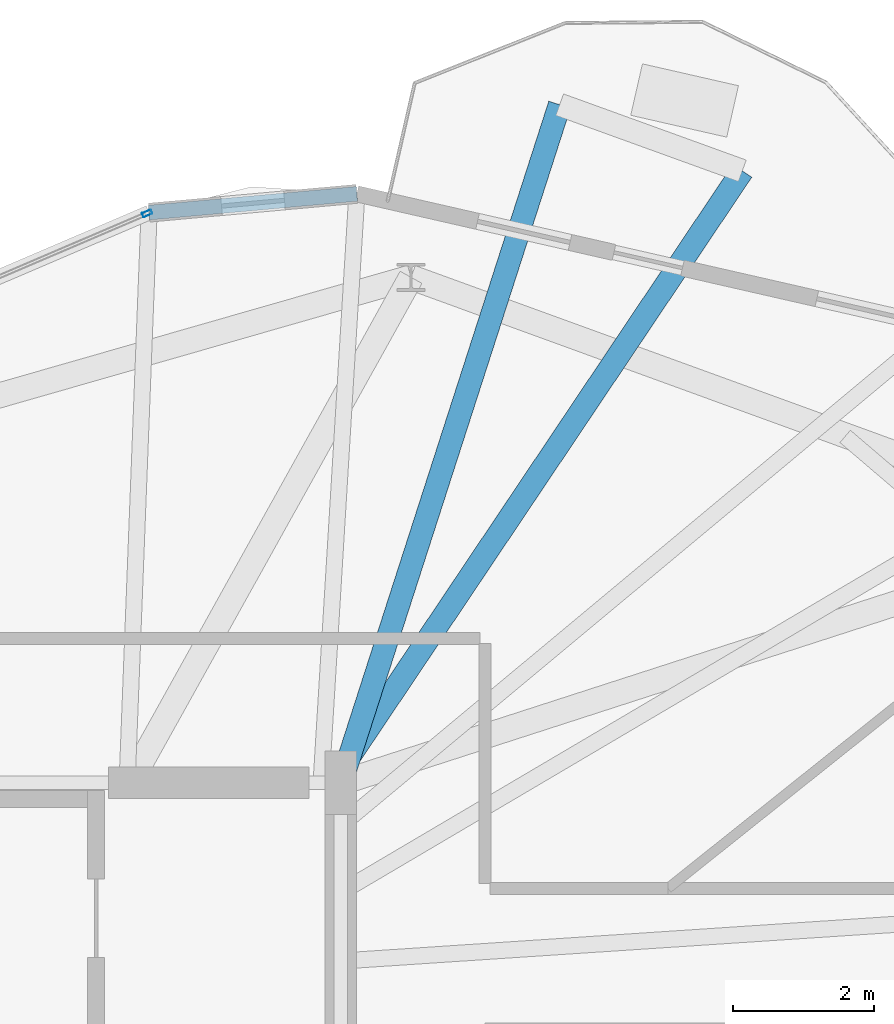
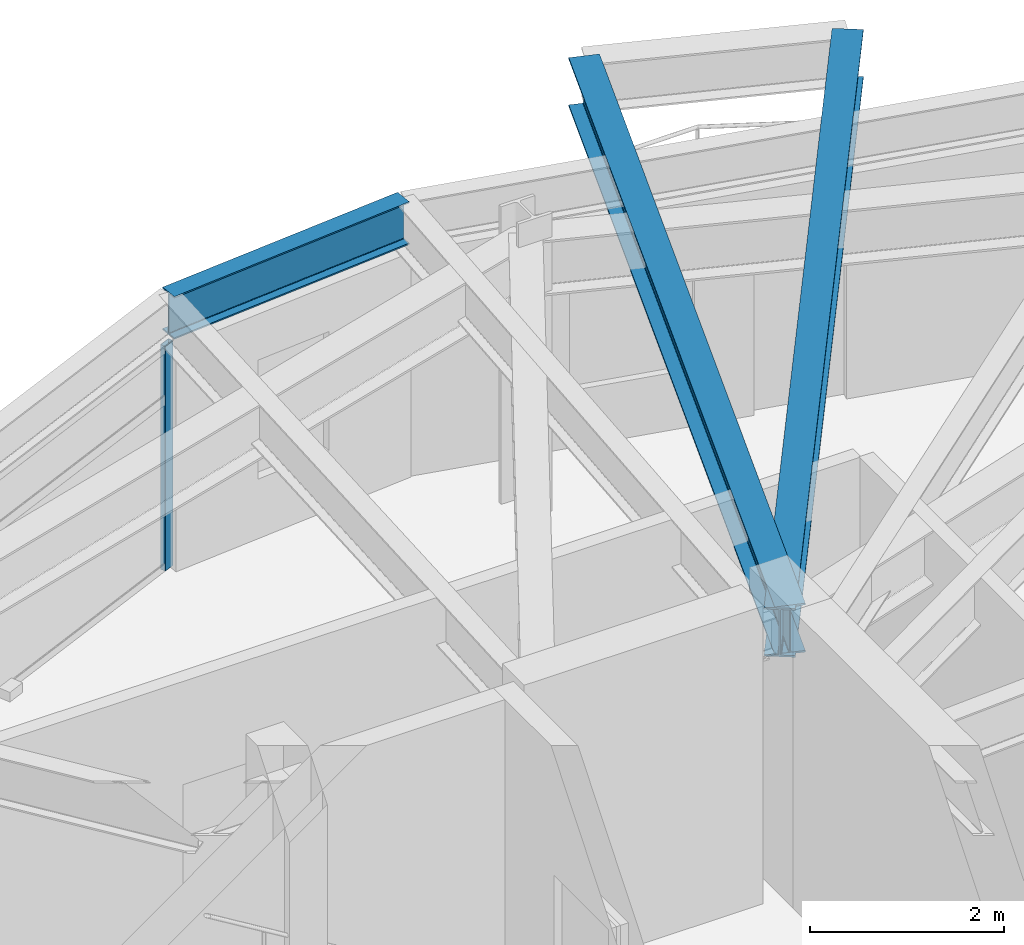
# One storey, part 15 of 23: 3 beams, 1 member, 1 element without a shape of its own.
"""IFC4 building model written with IfcOpenShell, lengths in metres."""

from ifc_helpers import new_model, si_unit, direction, frame, origin, origin_2d, place, context, subcontext, project, spatial, hollow_rectangle, i_section, extrude, material, layer, layer_set, material_profile, profile_set, type_object, element, aggregate, save


model = new_model("IFC4")

# Units and contexts
model_context = context("Model", 3, precision=1e-05, world=origin(), true_north=direction((0.0, 1.0)))
body_context = subcontext(model_context, "Body", "Model", "MODEL_VIEW")
ifc_project = project(units=[si_unit("LENGTHUNIT", "METRE"), si_unit("AREAUNIT", "SQUARE_METRE"), si_unit("VOLUMEUNIT", "CUBIC_METRE"), si_unit("PLANEANGLEUNIT", "RADIAN"), si_unit("MASSUNIT", "GRAM", prefix="KILO")], contexts=[model_context])

# Site, building, storey
site_placement = place(None, origin())
site = spatial("IfcSite", under=ifc_project, at=site_placement, CompositionType="ELEMENT")
building_placement = place(site_placement, origin())
building = spatial("IfcBuilding", under=site, at=building_placement, Name="Soratama Intermodal Tower", CompositionType="ELEMENT")
storey_placement = place(building_placement, frame((0.0, 0.0, 250.0)))
storey = spatial("IfcBuildingStorey", under=building, at=storey_placement, Name="L63", CompositionType="ELEMENT", Elevation=250.0)

# Beams
ifc_material_1 = material(Name="Structural steel ASTM A992 Grade 50", Category="steel")
ifc_material_profile_1 = material_profile(ifc_material_1, i_section(OverallWidth=0.324951171875, OverallDepth=0.615966796875, WebThickness=0.013916015625, FlangeThickness=0.021484375, FilletRadius=0.013916015625, at=origin_2d()), Name="W24X117")
ifc_profile_set_1 = profile_set([ifc_material_profile_1], Name="Structural steel ASTM A992 Grade 50")
beam_type_1 = type_object("IfcBeamType", Name="BM-CANT-W24X117", PredefinedType="BEAM", material=ifc_profile_set_1)
beam_1_placement = place(storey_placement, frame((44.4951171875, 35.032958984375, 3.14208984375), z_axis=(0.55709362717, 0.830449691773, 0.0), x_axis=(-0.830449691773, 0.55709362717, 0.0)))
element("IfcBeam", 1, at=beam_1_placement, inside=storey, type_object=beam_type_1, Name="BM-L63-CANT-1-1", PredefinedType="BEAM", context=body_context, shape_type="SweptSolid", body=[
    extrude(i_section(OverallWidth=0.324951171875, OverallDepth=0.615966796875, WebThickness=0.013916015625, FlangeThickness=0.021484375, FilletRadius=0.013916015625, at=origin_2d()), origin(), (0.0, 0.0, 1.0), 10.44140625),
])
beam_2_placement = place(storey_placement, frame((44.612060546875, 35.02294921875, 3.14208984375), z_axis=(0.306837669631, 0.951761863333, 0.0), x_axis=(-0.951761863333, 0.306837669631, 0.0)))
element("IfcBeam", 2, at=beam_2_placement, inside=storey, type_object=beam_type_1, Name="BM-L63-CANT-1-2", PredefinedType="BEAM", context=body_context, shape_type="SweptSolid", body=[
    extrude(i_section(OverallWidth=0.324951171875, OverallDepth=0.615966796875, WebThickness=0.013916015625, FlangeThickness=0.021484375, FilletRadius=0.013916015625, at=origin_2d()), origin(), (0.0, 0.0, 1.0), 10.10986328125),
])
ifc_material_2 = material(Name="Structural steel ASTM A992 Grade 50", Category="steel")
ifc_material_profile_2 = material_profile(ifc_material_2, i_section(OverallWidth=0.2099609375, OverallDepth=0.537109375, WebThickness=0.010986328125, FlangeThickness=0.017333984375, FilletRadius=0.012939453125, at=origin_2d()), Name="W21X68")
ifc_profile_set_2 = profile_set([ifc_material_profile_2], Name="Structural steel ASTM A992 Grade 50")
beam_type_2 = type_object("IfcBeamType", Name="BM-SPN-W21X68", PredefinedType="SPANDREL", material=ifc_profile_set_2)
beam_3_placement = place(storey_placement, frame((44.830078125, 43.376953125, 3.181396484375), z_axis=(-0.995947655363, -0.089934797365, 0.0), x_axis=(0.089934797365, -0.995947655363, 0.0)))
element("IfcBeam", 3, at=beam_3_placement, inside=storey, type_object=beam_type_2, Name="BS-L63-CRN01", PredefinedType="SPANDREL", context=body_context, shape_type="SweptSolid", body=[
    extrude(i_section(OverallWidth=0.2099609375, OverallDepth=0.537109375, WebThickness=0.010986328125, FlangeThickness=0.017333984375, FilletRadius=0.012939453125, at=origin_2d()), origin(), (0.0, 0.0, 1.0), 2.967041015625),
])

# Curtain wall, member
ifc_material_3 = material(Name="Double-glazed aluminium curtain wall", Category="aluminium")
ifc_layer = layer(ifc_material_3, 0.159912109375)
ifc_layer_set = layer_set([ifc_layer], Name="Double-glazed aluminium curtain wall")
curtain_wall_type = type_object("IfcCurtainWallType", Name="CW-SYS-5", PredefinedType="NOTDEFINED", material=ifc_layer_set)
curtain_wall_placement = place(storey_placement, origin())
curtain_wall = element("IfcCurtainWall", 4, at=curtain_wall_placement, inside=storey, type_object=curtain_wall_type, Name="L63 Faceted Curtain Wall F02", PredefinedType="NOTDEFINED")
ifc_material_4 = material(Name="Anodised aluminium AA 6063-T6", Category="aluminium")
ifc_material_profile_3 = material_profile(ifc_material_4, hollow_rectangle(XDim=0.06494140625, YDim=0.139892578125, WallThickness=0.0048828125, InnerFilletRadius=0.0048828125, OuterFilletRadius=0.010009765625, at=origin_2d()), Name="CWM140X65X5")
ifc_profile_set_3 = profile_set([ifc_material_profile_3], Name="Anodised aluminium AA 6063-T6")
member_type = type_object("IfcMemberType", Name="MT-CWM-5", PredefinedType="MULLION", material=ifc_profile_set_3)
member_placement = place(storey_placement, frame((41.84765625, 43.0986328125, 0.0), z_axis=(0.0, 0.0, 1.0), x_axis=(0.393298714752, -0.919410746606, 0.0)))
member = element("IfcMember", 5, at=member_placement, type_object=member_type, Name="CW-5 mullion 1", PredefinedType="MULLION", context=body_context, shape_type="SweptSolid", body=[
    extrude(hollow_rectangle(XDim=0.06494140625, YDim=0.139892578125, WallThickness=0.0048828125, InnerFilletRadius=0.0048828125, OuterFilletRadius=0.010009765625, at=origin_2d()), origin(), (0.0, 0.0, 1.0), 2.8291015625),
])
aggregate(curtain_wall, [member])

save(model, "model.ifc")
